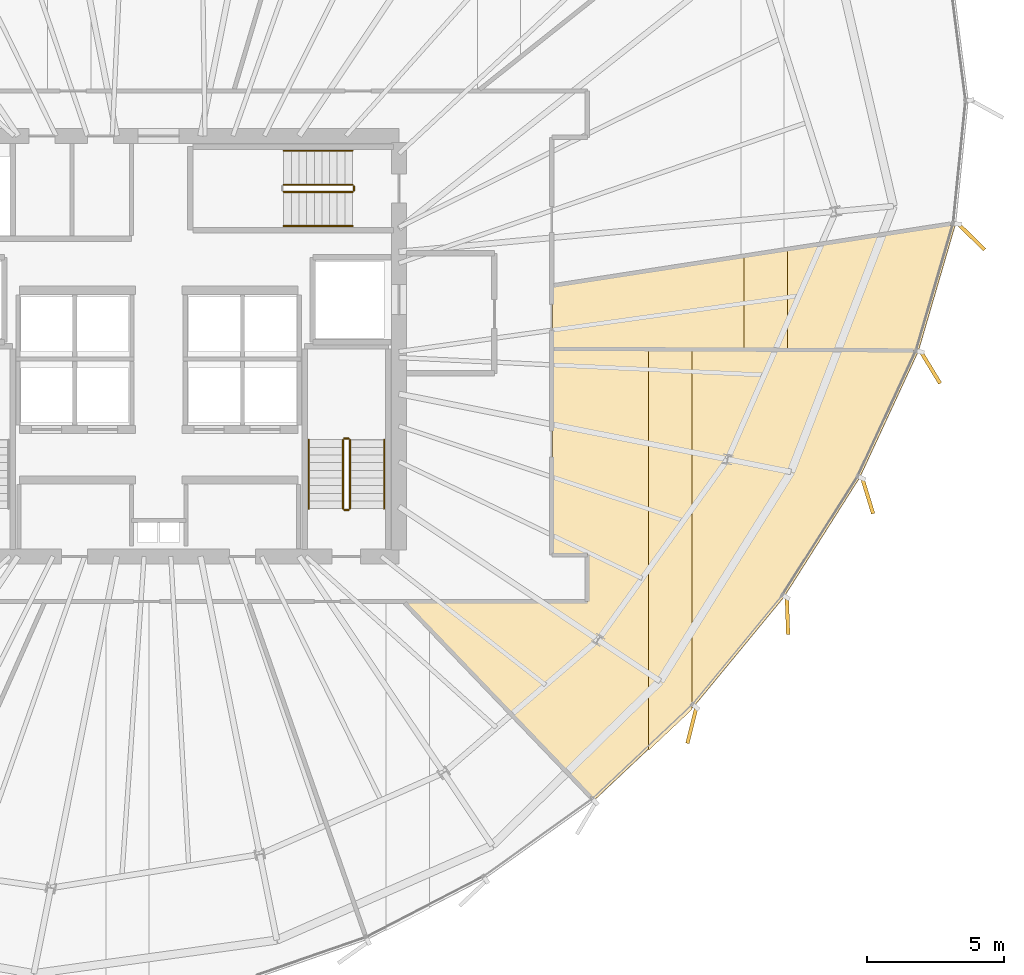
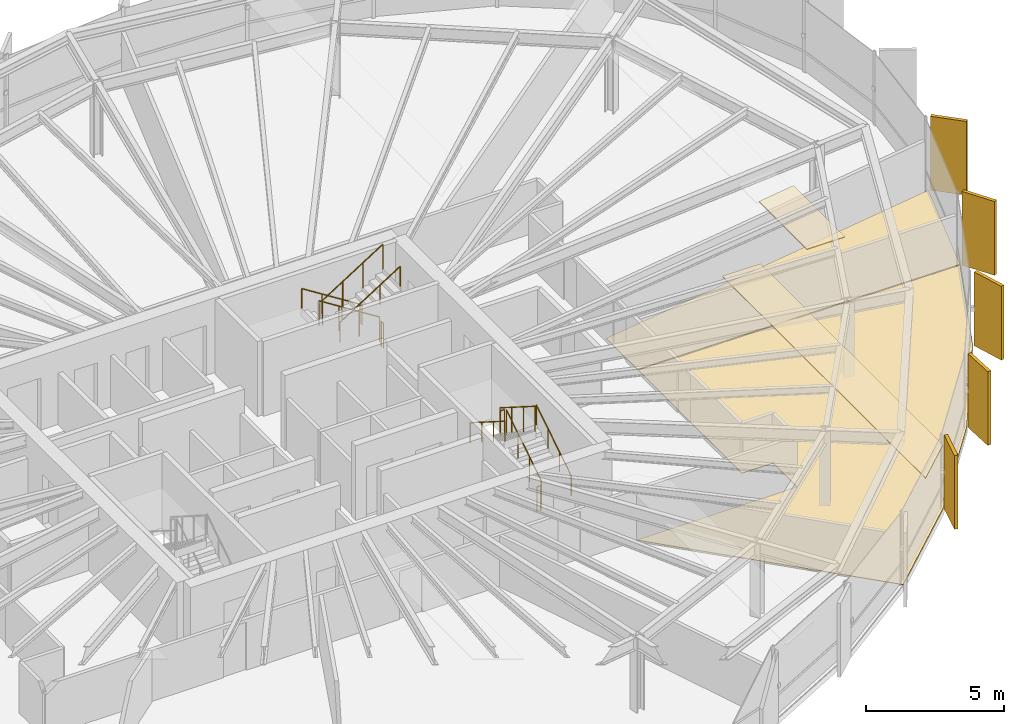
# One storey, part 31 of 32: 11 railings, 9 coverings.
"""IFC4 building model written with IfcOpenShell, lengths in metres."""

from ifc_helpers import new_model, si_unit, direction, frame, origin, origin_2d, place, context, subcontext, project, spatial, polyline, rectangle, circle, outline, extrude, source, transform, mapped, material, layer, layer_set, type_object, element, save


model = new_model("IFC4")

# Units and contexts
model_context = context("Model", 3, precision=1e-05, world=origin(), true_north=direction((0.0, 1.0)))
body_context = subcontext(model_context, "Body", "Model", "MODEL_VIEW")
ifc_project = project(units=[si_unit("LENGTHUNIT", "METRE"), si_unit("AREAUNIT", "SQUARE_METRE"), si_unit("VOLUMEUNIT", "CUBIC_METRE"), si_unit("PLANEANGLEUNIT", "RADIAN"), si_unit("MASSUNIT", "GRAM", prefix="KILO"), si_unit("THERMODYNAMICTEMPERATUREUNIT", "KELVIN")], contexts=[model_context])

# Site, building, storey
site_placement = place(None, origin())
site = spatial("IfcSite", under=ifc_project, at=site_placement, CompositionType="ELEMENT")
building_placement = place(site_placement, origin())
building = spatial("IfcBuilding", under=site, at=building_placement, Name="Kethvar Cultural Tower", CompositionType="ELEMENT")
storey_placement = place(building_placement, frame((0.0, 0.0, 160.75)))
storey = spatial("IfcBuildingStorey", under=building, at=storey_placement, Name="L41", CompositionType="ELEMENT", Elevation=160.75)

# Coverings
ifc_material_1 = material(Name="Acoustic Mineral Fibre Ceiling")
ifc_layer_1 = layer(ifc_material_1, 0.0400390625, Name="Acoustic Mineral Fibre Ceiling")
ifc_layer_set_1 = layer_set([ifc_layer_1], Name="Acoustic Mineral Fibre Ceiling (40 mm)")
covering_type_1 = type_object("IfcCoveringType", Name="CV-ACOUSTIC-CEIL", PredefinedType="CEILING", material=ifc_layer_set_1)
covering_1_placement = place(storey_placement, frame((0.0, 0.0, 2.889892578125)))
element("IfcCovering", 1, at=covering_1_placement, inside=storey, type_object=covering_type_1, Name="L41 Room 04 Acoustic Ceiling Panel", PredefinedType="CEILING", context=body_context, shape_type="SweptSolid", body=[
    extrude(outline(polyline([(64.744140625, 12.990478515625), (64.744140625, 27.69873046875), (66.333984375, 27.68798828125), (66.333984375, 14.48828125), (64.744140625, 12.990478515625)])), origin(), (0.0, 0.0, 1.0), 0.0400390625),
])
covering_2_placement = place(storey_placement, frame((0.0, 0.0, 2.889892578125)))
element("IfcCovering", 2, at=covering_2_placement, inside=storey, type_object=covering_type_1, Name="L41 Room 05 Acoustic Ceiling Panel", PredefinedType="CEILING", context=body_context, shape_type="SweptSolid", body=[
    extrude(outline(polyline([(68.243408203125, 27.635009765625), (68.243408203125, 31.109130859375), (69.83349609375, 31.35302734375), (69.83349609375, 27.62451171875), (68.243408203125, 27.635009765625)])), origin(), (0.0, 0.0, 1.0), 0.0400390625),
])
ifc_material_2 = material(Name="Architectural Oak Timber", Category="wood")
ifc_layer_2 = layer(ifc_material_2, 0.02490234375, Name="Architectural Oak Timber", Category="wood")
ifc_layer_set_2 = layer_set([ifc_layer_2], Name="Architectural Oak Timber (25 mm)")
covering_type_2 = type_object("IfcCoveringType", Name="CV-OAK-FLOOR", PredefinedType="FLOORING", material=ifc_layer_set_2)
covering_3_placement = place(storey_placement, origin())
element("IfcCovering", 3, at=covering_3_placement, inside=storey, type_object=covering_type_2, Name="L41 Room 04 Floor Finish", PredefinedType="FLOORING", context=body_context, shape_type="SweptSolid", body=[
    extrude(outline(polyline([(72.4853515625, 22.999267578125), (69.7041015625, 18.61279296875), (66.41943359375, 14.62353515625), (62.757080078125, 11.173583984375), (55.8046875, 18.429931640625), (62.517578125, 18.440673828125), (62.515380859375, 20.16259765625), (61.219970703125, 20.169921875), (61.219970703125, 27.6826171875), (74.615966796875, 27.592041015625), (72.4853515625, 22.999267578125)])), origin(), (0.0, 0.0, 1.0), 0.02490234375),
])
covering_4_placement = place(storey_placement, origin())
element("IfcCovering", 4, at=covering_4_placement, inside=storey, type_object=covering_type_2, Name="L41 Room 05 Floor Finish", PredefinedType="FLOORING", context=body_context, shape_type="SweptSolid", body=[
    extrude(outline(polyline([(74.632080078125, 27.632080078125), (61.219970703125, 27.72265625), (61.219970703125, 29.991455078125), (75.983154296875, 32.255859375), (74.632080078125, 27.632080078125)])), origin(), (0.0, 0.0, 1.0), 0.02490234375),
])

# Railings
ifc_material_3 = material(Name="Steel S355J2", Category="steel")
railing_type_1 = type_object("IfcRailingType", Name="RL-STAIR-GUARD", PredefinedType="BALUSTRADE", material=ifc_material_3)
railing_1_placement = place(storey_placement, frame((53.81005859375, 21.85009765625, 0.177490234375)))
element("IfcRailing", 5, at=railing_1_placement, inside=storey, type_object=railing_type_1, Name="L41 ST-02 stair guard 1", PredefinedType="BALUSTRADE", context=body_context, shape_type="SweptSolid", body=[
    extrude(circle(Radius=0.02392578125, at=origin_2d()), frame((0.0, 0.0, 1.09619140625), z_axis=(0.0, 0.84460694969, 0.535386869969), x_axis=(-1.0, 0.0, 0.0)), (0.0, 0.0, 1.0), 2.983642578125),
    extrude(circle(Radius=0.02099609375, at=origin_2d()), origin(), (0.0, 0.0, 1.0), 1.072021484375),
    extrude(circle(Radius=0.02099609375, at=origin_2d()), frame((0.0, 0.840087890625, 0.532470703125)), (0.0, 0.0, 1.0), 1.072021484375),
    extrude(circle(Radius=0.02099609375, at=origin_2d()), frame((0.0, 1.679931640625, 1.06494140625)), (0.0, 0.0, 1.0), 1.072021484375),
    extrude(circle(Radius=0.02099609375, at=origin_2d()), frame((0.0, 2.52001953125, 1.597412109375)), (0.0, 0.0, 1.0), 1.072021484375),
])
railing_2_placement = place(storey_placement, frame((53.760009765625, 24.419921875, 1.77490234375)))
element("IfcRailing", 6, at=railing_2_placement, inside=storey, type_object=railing_type_1, Name="L41 ST-02 stair guard 2", PredefinedType="BALUSTRADE", context=body_context, shape_type="SweptSolid", body=[
    extrude(circle(Radius=0.02392578125, at=origin_2d()), frame((0.0, 0.0, 1.09619140625), z_axis=(-1.0, 0.0, 0.0), x_axis=(0.0, -1.0, 0.0)), (0.0, 0.0, 1.0), 0.159912109375),
    extrude(circle(Radius=0.02099609375, at=origin_2d()), origin(), (0.0, 0.0, 1.0), 1.072021484375),
    extrude(circle(Radius=0.02099609375, at=origin_2d()), frame((-0.159912109375, 0.0, 0.0)), (0.0, 0.0, 1.0), 1.072021484375),
])
railing_3_placement = place(storey_placement, frame((53.550048828125, 24.3701171875, 1.952392578125)))
element("IfcRailing", 7, at=railing_3_placement, inside=storey, type_object=railing_type_1, Name="L41 ST-02 stair guard 3", PredefinedType="BALUSTRADE", context=body_context, shape_type="SweptSolid", body=[
    extrude(circle(Radius=0.02392578125, at=origin_2d()), frame((0.0, 0.0, 1.09619140625), z_axis=(0.0, -0.84456994832, 0.535445237532), x_axis=(1.0, 0.0, 0.0)), (0.0, 0.0, 1.0), 2.98388671875),
    extrude(circle(Radius=0.02099609375, at=origin_2d()), origin(), (0.0, 0.0, 1.0), 1.072021484375),
    extrude(circle(Radius=0.02099609375, at=origin_2d()), frame((0.0, -0.840087890625, 0.532470703125)), (0.0, 0.0, 1.0), 1.072021484375),
    extrude(circle(Radius=0.02099609375, at=origin_2d()), frame((0.0, -1.679931640625, 1.065185546875)), (0.0, 0.0, 1.0), 1.072021484375),
    extrude(circle(Radius=0.02099609375, at=origin_2d()), frame((0.0, -2.52001953125, 1.59765625)), (0.0, 0.0, 1.0), 1.072021484375),
])
railing_4_placement = place(storey_placement, frame((53.760009765625, 21.800048828125, 0.0)))
element("IfcRailing", 8, at=railing_4_placement, inside=storey, type_object=railing_type_1, Name="L41 ST-02 stair guard 4", PredefinedType="BALUSTRADE", context=body_context, shape_type="SweptSolid", body=[
    extrude(circle(Radius=0.02392578125, at=origin_2d()), frame((0.0, 0.0, 1.09619140625), z_axis=(-1.0, 0.0, 0.0), x_axis=(0.0, -1.0, 0.0)), (0.0, 0.0, 1.0), 0.159912109375),
    extrude(circle(Radius=0.02099609375, at=origin_2d()), origin(), (0.0, 0.0, 1.0), 1.072021484375),
    extrude(circle(Radius=0.02099609375, at=origin_2d()), frame((-0.159912109375, 0.0, 0.0)), (0.0, 0.0, 1.0), 1.072021484375),
])
railing_5_placement = place(storey_placement, frame((53.89990234375, 33.7099609375, 0.177490234375)))
element("IfcRailing", 9, at=railing_5_placement, inside=storey, type_object=railing_type_1, Name="L41 ST-03 stair guard 1", PredefinedType="BALUSTRADE", context=body_context, shape_type="SweptSolid", body=[
    extrude(circle(Radius=0.02392578125, at=origin_2d()), frame((0.0, 0.0, 1.09619140625), z_axis=(-0.84460694969, 0.0, 0.535386869969), x_axis=(0.0, -1.0, 0.0)), (0.0, 0.0, 1.0), 2.983642578125),
    extrude(circle(Radius=0.02099609375, at=origin_2d()), origin(), (0.0, 0.0, 1.0), 1.072021484375),
    extrude(circle(Radius=0.02099609375, at=origin_2d()), frame((-0.840087890625, 0.0, 0.532470703125)), (0.0, 0.0, 1.0), 1.072021484375),
    extrude(circle(Radius=0.02099609375, at=origin_2d()), frame((-1.679931640625, 0.0, 1.06494140625)), (0.0, 0.0, 1.0), 1.072021484375),
    extrude(circle(Radius=0.02099609375, at=origin_2d()), frame((-2.52001953125, 0.0, 1.597412109375)), (0.0, 0.0, 1.0), 1.072021484375),
])
railing_6_placement = place(storey_placement, frame((51.3798828125, 33.449951171875, 1.952392578125)))
element("IfcRailing", 10, at=railing_6_placement, inside=storey, type_object=railing_type_1, Name="L41 ST-03 stair guard 3", PredefinedType="BALUSTRADE", context=body_context, shape_type="SweptSolid", body=[
    extrude(circle(Radius=0.02392578125, at=origin_2d()), frame((0.0, 0.0, 1.09619140625), z_axis=(0.84456994832, 0.0, 0.535445237532), x_axis=(0.0, 1.0, 0.0)), (0.0, 0.0, 1.0), 2.98388671875),
    extrude(circle(Radius=0.02099609375, at=origin_2d()), origin(), (0.0, 0.0, 1.0), 1.072021484375),
    extrude(circle(Radius=0.02099609375, at=origin_2d()), frame((0.840087890625, 0.0, 0.532470703125)), (0.0, 0.0, 1.0), 1.072021484375),
    extrude(circle(Radius=0.02099609375, at=origin_2d()), frame((1.679931640625, 0.0, 1.065185546875)), (0.0, 0.0, 1.0), 1.072021484375),
    extrude(circle(Radius=0.02099609375, at=origin_2d()), frame((2.52001953125, 0.0, 1.59765625)), (0.0, 0.0, 1.0), 1.072021484375),
])
railing_7_placement = place(storey_placement, frame((53.949951171875, 33.659912109375, 0.0)))
element("IfcRailing", 11, at=railing_7_placement, inside=storey, type_object=railing_type_1, Name="L41 ST-03 stair guard 4", PredefinedType="BALUSTRADE", context=body_context, shape_type="SweptSolid", body=[
    extrude(circle(Radius=0.02392578125, at=origin_2d()), frame((0.0, 0.0, 1.09619140625), z_axis=(0.0, -1.0, 0.0), x_axis=(1.0, 0.0, 0.0)), (0.0, 0.0, 1.0), 0.159912109375),
    extrude(circle(Radius=0.02099609375, at=origin_2d()), origin(), (0.0, 0.0, 1.0), 1.072021484375),
    extrude(circle(Radius=0.02099609375, at=origin_2d()), frame((0.0, -0.159912109375, 0.0)), (0.0, 0.0, 1.0), 1.072021484375),
])
railing_type_2 = type_object("IfcRailingType", Name="RL-STAIR-HANDRAIL", PredefinedType="HANDRAIL", material=ifc_material_3)
railing_8_placement = place(storey_placement, frame((55.06005859375, 21.85009765625, 0.177490234375)))
element("IfcRailing", 12, at=railing_8_placement, inside=storey, type_object=railing_type_2, Name="L41 ST-02 stair handrail 1", PredefinedType="HANDRAIL", context=body_context, shape_type="SweptSolid", body=[
    extrude(circle(Radius=0.02392578125, at=origin_2d()), frame((0.0, 0.0, 0.8759765625), z_axis=(0.0, 0.84460694969, 0.535386869969), x_axis=(-1.0, 0.0, 0.0)), (0.0, 0.0, 1.0), 2.983642578125),
    extrude(circle(Radius=0.02099609375, at=origin_2d()), origin(), (0.0, 0.0, 1.0), 0.851806640625),
    extrude(circle(Radius=0.02099609375, at=origin_2d()), frame((0.0, 0.840087890625, 0.532470703125)), (0.0, 0.0, 1.0), 0.851806640625),
    extrude(circle(Radius=0.02099609375, at=origin_2d()), frame((0.0, 1.679931640625, 1.06494140625)), (0.0, 0.0, 1.0), 0.851806640625),
    extrude(circle(Radius=0.02099609375, at=origin_2d()), frame((0.0, 2.52001953125, 1.597412109375)), (0.0, 0.0, 1.0), 0.851806640625),
])
railing_9_placement = place(storey_placement, frame((52.300048828125, 24.3701171875, 1.952392578125)))
element("IfcRailing", 13, at=railing_9_placement, inside=storey, type_object=railing_type_2, Name="L41 ST-02 stair handrail 2", PredefinedType="HANDRAIL", context=body_context, shape_type="SweptSolid", body=[
    extrude(circle(Radius=0.02392578125, at=origin_2d()), frame((0.0, 0.0, 0.8759765625), z_axis=(0.0, -0.84456994832, 0.535445237532), x_axis=(1.0, 0.0, 0.0)), (0.0, 0.0, 1.0), 2.98388671875),
    extrude(circle(Radius=0.02099609375, at=origin_2d()), origin(), (0.0, 0.0, 1.0), 0.851806640625),
    extrude(circle(Radius=0.02099609375, at=origin_2d()), frame((0.0, -0.840087890625, 0.532470703125)), (0.0, 0.0, 1.0), 0.851806640625),
    extrude(circle(Radius=0.02099609375, at=origin_2d()), frame((0.0, -1.679931640625, 1.065185546875)), (0.0, 0.0, 1.0), 0.851806640625),
    extrude(circle(Radius=0.02099609375, at=origin_2d()), frame((0.0, -2.52001953125, 1.59765625)), (0.0, 0.0, 1.0), 0.851806640625),
])
railing_10_placement = place(storey_placement, frame((53.89990234375, 34.9599609375, 0.177490234375)))
element("IfcRailing", 14, at=railing_10_placement, inside=storey, type_object=railing_type_2, Name="L41 ST-03 stair handrail 1", PredefinedType="HANDRAIL", context=body_context, shape_type="SweptSolid", body=[
    extrude(circle(Radius=0.02392578125, at=origin_2d()), frame((0.0, 0.0, 0.8759765625), z_axis=(-0.84460694969, 0.0, 0.535386869969), x_axis=(0.0, -1.0, 0.0)), (0.0, 0.0, 1.0), 2.983642578125),
    extrude(circle(Radius=0.02099609375, at=origin_2d()), origin(), (0.0, 0.0, 1.0), 0.851806640625),
    extrude(circle(Radius=0.02099609375, at=origin_2d()), frame((-0.840087890625, 0.0, 0.532470703125)), (0.0, 0.0, 1.0), 0.851806640625),
    extrude(circle(Radius=0.02099609375, at=origin_2d()), frame((-1.679931640625, 0.0, 1.06494140625)), (0.0, 0.0, 1.0), 0.851806640625),
    extrude(circle(Radius=0.02099609375, at=origin_2d()), frame((-2.52001953125, 0.0, 1.597412109375)), (0.0, 0.0, 1.0), 0.851806640625),
])
railing_11_placement = place(storey_placement, frame((51.3798828125, 32.199951171875, 1.952392578125)))
element("IfcRailing", 15, at=railing_11_placement, inside=storey, type_object=railing_type_2, Name="L41 ST-03 stair handrail 2", PredefinedType="HANDRAIL", context=body_context, shape_type="SweptSolid", body=[
    extrude(circle(Radius=0.02392578125, at=origin_2d()), frame((0.0, 0.0, 0.8759765625), z_axis=(0.84456994832, 0.0, 0.535445237532), x_axis=(0.0, 1.0, 0.0)), (0.0, 0.0, 1.0), 2.98388671875),
    extrude(circle(Radius=0.02099609375, at=origin_2d()), origin(), (0.0, 0.0, 1.0), 0.851806640625),
    extrude(circle(Radius=0.02099609375, at=origin_2d()), frame((0.840087890625, 0.0, 0.532470703125)), (0.0, 0.0, 1.0), 0.851806640625),
    extrude(circle(Radius=0.02099609375, at=origin_2d()), frame((1.679931640625, 0.0, 1.065185546875)), (0.0, 0.0, 1.0), 0.851806640625),
    extrude(circle(Radius=0.02099609375, at=origin_2d()), frame((2.52001953125, 0.0, 1.59765625)), (0.0, 0.0, 1.0), 0.851806640625),
])

# Coverings
ifc_material_4 = material(Name="Extruded Architectural Terracotta", Category="masonry")
ifc_layer_3 = layer(ifc_material_4, 0.135009765625, Name="Extruded Architectural Terracotta", Category="masonry")
ifc_layer_set_3 = layer_set([ifc_layer_3], Name="Extruded Architectural Terracotta (135 mm)")
covering_type_3 = type_object("IfcCoveringType", Name="Terracotta Facade Fin FIN-02", PredefinedType="CLADDING", material=ifc_layer_set_3)
shared_shape = source(origin(), body_context, "Body", "SweptSolid", [
    extrude(rectangle(XDim=1.35009765625, YDim=0.135009765625, at=origin_2d()), origin(), (0.0, 0.0, 1.0), 3.260009765625),
])
for number, where, z_axis, x_axis, name in (
    (16, (66.332275390625, 13.904296875, 0.02001953125), (0.0, 0.0, 1.0), (-0.242429908069, -0.970168923267, 0.0), "L41 Vertical Terracotta Fin 5.6"),
    (17, (69.8330078125, 17.91650390625, 0.02001953125), (0.0, 0.0, 1.0), (0.035946037002, -0.999353732381, 0.0), "L41 Vertical Terracotta Fin 6.1"),
    (18, (72.772705078125, 22.310546875, 0.02001953125), (0.0, 0.0, 1.0), (0.292371704723, -0.956304755963, 0.0), "L41 Vertical Terracotta Fin 6.2"),
    (19, (75.07421875, 27.012451171875, 0.02001953125), (0.0, 0.0, 1.0), (0.519071647088, -0.854730732564, 0.0), "L41 Vertical Terracotta Fin 6.3"),
    (20, (76.57373046875, 31.80078125, 0.02001953125), (0.0, 0.0, 1.0), (0.715692733704, -0.698415285431, 0.0), "L41 Vertical Terracotta Fin 6.4"),
):
    element("IfcCovering", number, at=place(storey_placement, frame(where, z_axis=z_axis, x_axis=x_axis)), inside=storey, type_object=covering_type_3, Name=name, PredefinedType="CLADDING", context=body_context, shape_type="MappedRepresentation", body=[
        mapped(shared_shape, transform((0.0, 0.0, 0.0), scale=1.0)),
    ])

save(model, "model.ifc")
